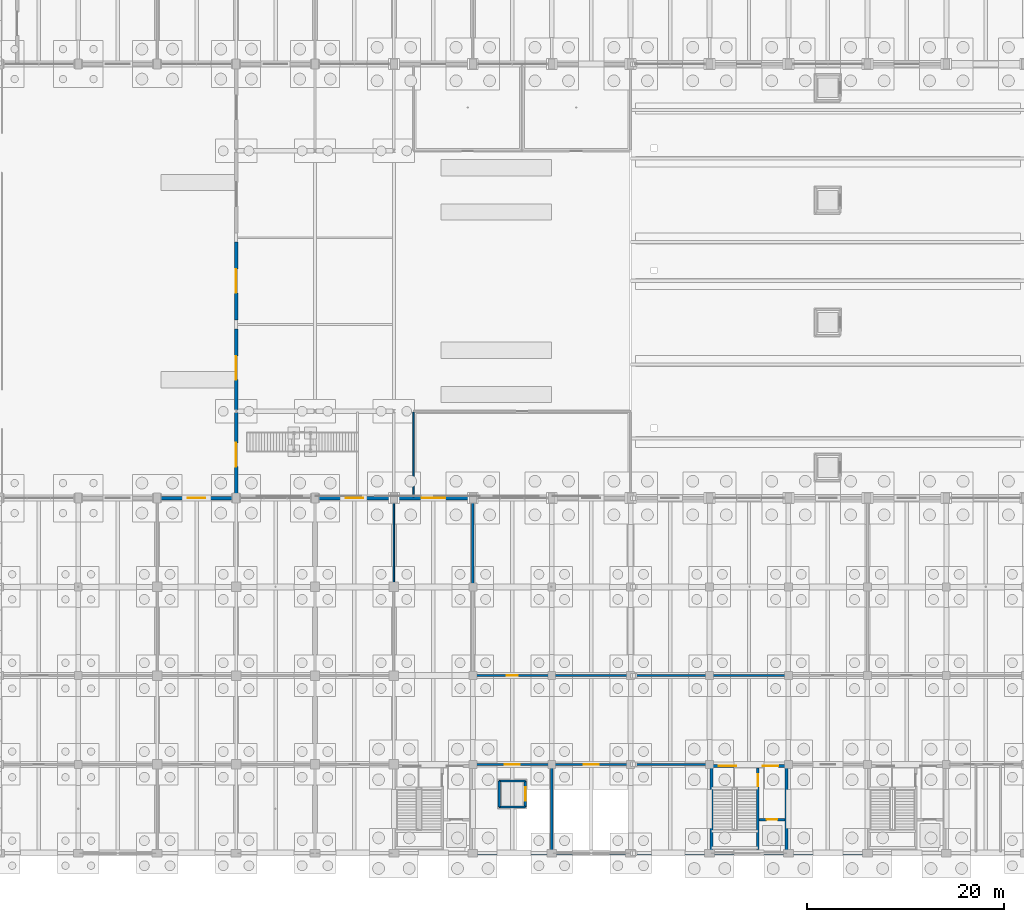
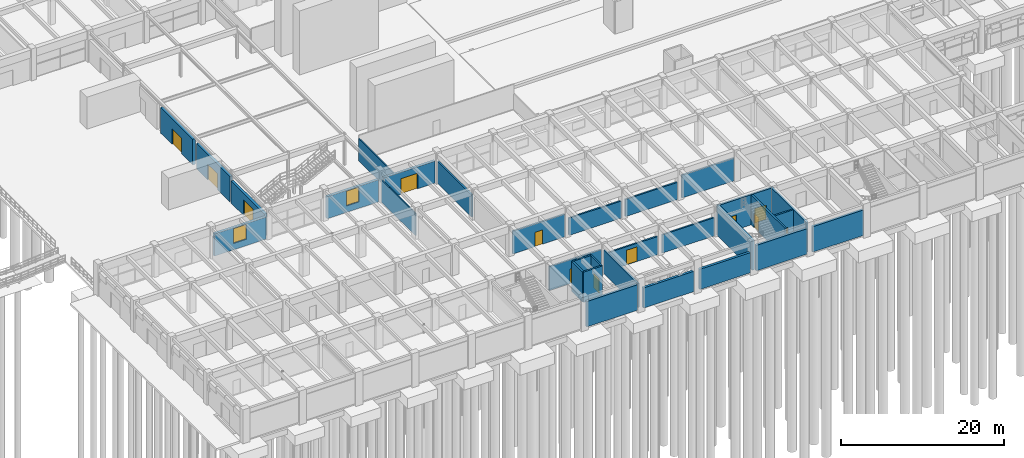
# One storey, part 102 of 147: 31 walls, 12 doors, 2 windows, 14 openings.
"""IFC4 building model written with IfcOpenShell, lengths in metres."""

from ifc_helpers import new_model, si_unit, direction, frame, frame_2d, origin, place, context, subcontext, project, spatial, rectangle, extrude, material, layer, layer_set, type_object, element, fill, save


model = new_model("IFC4")

# Units and contexts
model_context = context("Model", 3, precision=1e-05, world=origin(), true_north=direction((0.0, 1.0)))
body_context = subcontext(model_context, "Body", "Model", "MODEL_VIEW")
ifc_project = project(units=[si_unit("LENGTHUNIT", "METRE"), si_unit("AREAUNIT", "SQUARE_METRE"), si_unit("VOLUMEUNIT", "CUBIC_METRE"), si_unit("PLANEANGLEUNIT", "RADIAN"), si_unit("MASSUNIT", "GRAM", prefix="KILO")], contexts=[model_context])

# Site, building, storey
site_placement = place(None, origin())
site = spatial("IfcSite", under=ifc_project, at=site_placement, CompositionType="ELEMENT")
building_placement = place(site_placement, origin())
building = spatial("IfcBuilding", under=site, at=building_placement, Name="Varnabhumi Central Station", CompositionType="ELEMENT")
storey_placement = place(building_placement, origin())
storey = spatial("IfcBuildingStorey", under=building, at=storey_placement, Name="L00", CompositionType="ELEMENT", Elevation=0.0)

# Wall, opening, door
ifc_material_1 = material(Name="Autoclaved aerated blockwork masonry", Category="masonry")
ifc_layer_1 = layer(ifc_material_1, 0.219970703125, Name="Autoclaved aerated blockwork masonry", Category="masonry")
ifc_layer_set_1 = layer_set([ifc_layer_1], Name="Autoclaved aerated blockwork masonry")
wall_type_1 = type_object("IfcWallType", Name="WAL-COMP-AAC-220", PredefinedType="SOLIDWALL", material=ifc_layer_set_1)
wall_1_placement = place(storey_placement, frame((48.300048828125, 18.0, 0.0), z_axis=(0.0, 0.0, 1.0), x_axis=(1.0, 0.0, 0.0)))
wall_1 = element("IfcWall", 1, at=wall_1_placement, inside=storey, type_object=wall_type_1, Name="Inbound and Outbound Parcel Store Corridor Partition 1", PredefinedType="SOLIDWALL", context=body_context, shape_type="SweptSolid", body=[
    extrude(rectangle(XDim=7.39990234375, YDim=0.219970703125, at=frame_2d((3.699951171875, 0.0))), origin(), (0.0, 0.0, 1.0), 3.409912109375),
])
opening_1_placement = place(wall_1_placement, frame((3.14990234375, 0.0, 0.0)))
opening_1 = element("IfcOpeningElement", 2, at=opening_1_placement, cuts=wall_1, Name="Opening FD-60", PredefinedType="OPENING", context=body_context, shape_type="SweptSolid", body=[
    extrude(rectangle(XDim=1.10009765625, YDim=2.14990234375, at=frame_2d((0.550048828125, 1.074951171875))), frame((0.0, 0.119873046875, 0.0), z_axis=(0.0, -1.0, 0.0), x_axis=(1.0, 0.0, 0.0)), (0.0, 0.0, 1.0), 0.239990234375),
])
ifc_material_2 = material(Name="Intumescent-treated hardwood timber", Category="wood")
door_type_1 = type_object("IfcDoorType", Name="DR-FIRE-60-1100", OperationType="NOTDEFINED", PredefinedType="DOOR", material=ifc_material_2)
door_1_placement = place(opening_1_placement, frame((1.10009765625, 0.0, 0.0), z_axis=(0.0, 0.0, 1.0), x_axis=(-1.0, 0.0, 0.0)))
door_1 = element("IfcDoor", 3, at=door_1_placement, inside=storey, type_object=door_type_1, Name="Inbound and Outbound Parcel Store Door 1", OperationType="SINGLE_SWING_LEFT", OverallHeight=2.14990234375, OverallWidth=1.10009765625, PredefinedType="DOOR", context=body_context, shape_type="SweptSolid", body=[
    extrude(rectangle(XDim=1.10009765625, YDim=2.14990234375, at=frame_2d((0.550048828125, 1.074951171875))), frame((0.0, 0.02490234375, 0.0), z_axis=(0.0, -1.0, 0.0), x_axis=(1.0, 0.0, 0.0)), (0.0, 0.0, 1.0), 0.050048828125),
])
fill(opening_1, door_1)

# Walls
for number, where, z_axis, x_axis, name in (
    (4, (56.300048828125, 18.0, 0.0), (0.0, 0.0, 1.0), (1.0, 0.0, 0.0), "Inbound and Outbound Parcel Store Corridor Partition 2"),
    (5, (64.300048828125, 18.0, 0.0), (0.0, 0.0, 1.0), (1.0, 0.0, 0.0), "Inbound and Outbound Parcel Store Corridor Partition 3"),
):
    element("IfcWall", number, at=place(storey_placement, frame(where, z_axis=z_axis, x_axis=x_axis)), inside=storey, type_object=wall_type_1, Name=name, PredefinedType="SOLIDWALL", context=body_context, shape_type="SweptSolid", body=[
        extrude(rectangle(XDim=7.39990234375, YDim=0.219970703125, at=frame_2d((3.699951171875, 0.0))), origin(), (0.0, 0.0, 1.0), 2.580078125),
    ])
wall_2_placement = place(storey_placement, frame((72.300048828125, 18.0, 0.0), z_axis=(0.0, 0.0, 1.0), x_axis=(1.0, 0.0, 0.0)))
element("IfcWall", 6, at=wall_2_placement, inside=storey, type_object=wall_type_1, Name="Inbound and Outbound Parcel Store Corridor Partition 4", PredefinedType="SOLIDWALL", context=body_context, shape_type="SweptSolid", body=[
    extrude(rectangle(XDim=7.39990234375, YDim=0.219970703125, at=frame_2d((3.699951171875, 0.0))), origin(), (0.0, 0.0, 1.0), 3.409912109375),
])
wall_3_placement = place(storey_placement, frame((48.0, 27.300048828125, 0.0), z_axis=(0.0, 0.0, 1.0), x_axis=(0.0, 1.0, 0.0)))
element("IfcWall", 7, at=wall_3_placement, inside=storey, type_object=wall_type_1, Name="Inbound and Outbound Parcel Store E Partition 2", PredefinedType="SOLIDWALL", context=body_context, shape_type="SweptSolid", body=[
    extrude(rectangle(XDim=8.39990234375, YDim=0.219970703125, at=frame_2d((4.199951171875, 0.0))), origin(), (0.0, 0.0, 1.0), 3.31005859375),
])

# Wall, opening, door
wall_4_placement = place(storey_placement, frame((48.300048828125, 9.0, 0.0), z_axis=(0.0, 0.0, 1.0), x_axis=(1.0, 0.0, 0.0)))
wall_4 = element("IfcWall", 8, at=wall_4_placement, inside=storey, type_object=wall_type_1, Name="Traction Feeder Switch Room Corridor Partition 1", PredefinedType="SOLIDWALL", context=body_context, shape_type="SweptSolid", body=[
    extrude(rectangle(XDim=7.39990234375, YDim=0.219970703125, at=frame_2d((3.699951171875, 0.0))), origin(), (0.0, 0.0, 1.0), 3.56005859375),
])
opening_2_placement = place(wall_4_placement, frame((2.949951171875, 0.0, 0.0)))
opening_2 = element("IfcOpeningElement", 9, at=opening_2_placement, cuts=wall_4, Name="Opening FD-PLT", PredefinedType="OPENING", context=body_context, shape_type="SweptSolid", body=[
    extrude(rectangle(XDim=1.5, YDim=2.199951171875, at=frame_2d((0.75, 1.10009765625))), frame((0.0, 0.119873046875, 0.0), z_axis=(0.0, -1.0, 0.0), x_axis=(1.0, 0.0, 0.0)), (0.0, 0.0, 1.0), 0.239990234375),
])
ifc_material_3 = material(Name="Stainless steel Grade 316", Category="steel")
door_type_2 = type_object("IfcDoorType", Name="DR-PLANT-1500", OperationType="NOTDEFINED", PredefinedType="DOOR", material=ifc_material_3)
door_2_placement = place(opening_2_placement, origin())
door_2 = element("IfcDoor", 10, at=door_2_placement, inside=storey, type_object=door_type_2, Name="Traction Feeder Switch Room Door 1", OperationType="SINGLE_SWING_LEFT", OverallHeight=2.199951171875, OverallWidth=1.5, PredefinedType="DOOR", context=body_context, shape_type="SweptSolid", body=[
    extrude(rectangle(XDim=1.5, YDim=2.199951171875, at=frame_2d((0.75, 1.10009765625))), frame((0.0, 0.02490234375, 0.0), z_axis=(0.0, -1.0, 0.0), x_axis=(1.0, 0.0, 0.0)), (0.0, 0.0, 1.0), 0.050048828125),
])
fill(opening_2, door_2)

# Wall
wall_5_placement = place(storey_placement, frame((56.0, 0.300048828125, 0.0), z_axis=(0.0, 0.0, 1.0), x_axis=(0.0, 1.0, 0.0)))
element("IfcWall", 11, at=wall_5_placement, inside=storey, type_object=wall_type_1, Name="Traction Feeder Switch Room W Partition 1", PredefinedType="SOLIDWALL", context=body_context, shape_type="SweptSolid", body=[
    extrude(rectangle(XDim=8.39990234375, YDim=0.219970703125, at=frame_2d((4.199951171875, 0.0))), origin(), (0.0, 0.0, 1.0), 3.56005859375),
])

# Wall, opening, door
wall_6_placement = place(storey_placement, frame((56.300048828125, 9.0, 0.0), z_axis=(0.0, 0.0, 1.0), x_axis=(1.0, 0.0, 0.0)))
wall_6 = element("IfcWall", 12, at=wall_6_placement, inside=storey, type_object=wall_type_1, Name="11 kV Traction-Isolated Substation and Switchgear Corridor Partition 1", PredefinedType="SOLIDWALL", context=body_context, shape_type="SweptSolid", body=[
    extrude(rectangle(XDim=7.39990234375, YDim=0.219970703125, at=frame_2d((3.699951171875, 0.0))), origin(), (0.0, 0.0, 1.0), 2.72998046875),
])
opening_3_placement = place(wall_6_placement, frame((2.949951171875, 0.0, 0.0)))
opening_3 = element("IfcOpeningElement", 13, at=opening_3_placement, cuts=wall_6, Name="Opening FD-PLT", PredefinedType="OPENING", context=body_context, shape_type="SweptSolid", body=[
    extrude(rectangle(XDim=1.5, YDim=2.199951171875, at=frame_2d((0.75, 1.10009765625))), frame((0.0, 0.119873046875, 0.0), z_axis=(0.0, -1.0, 0.0), x_axis=(1.0, 0.0, 0.0)), (0.0, 0.0, 1.0), 0.239990234375),
])
door_3_placement = place(opening_3_placement, origin())
door_3 = element("IfcDoor", 14, at=door_3_placement, inside=storey, type_object=door_type_2, Name="11 kV Traction-Isolated Substation and Switchgear Door 1", OperationType="SINGLE_SWING_RIGHT", OverallHeight=2.199951171875, OverallWidth=1.5, PredefinedType="DOOR", context=body_context, shape_type="SweptSolid", body=[
    extrude(rectangle(XDim=1.5, YDim=2.199951171875, at=frame_2d((0.75, 1.10009765625))), frame((0.0, 0.02490234375, 0.0), z_axis=(0.0, -1.0, 0.0), x_axis=(1.0, 0.0, 0.0)), (0.0, 0.0, 1.0), 0.050048828125),
])
fill(opening_3, door_3)

# Walls
wall_7_placement = place(storey_placement, frame((64.300048828125, 9.0, 0.0), z_axis=(0.0, 0.0, 1.0), x_axis=(1.0, 0.0, 0.0)))
element("IfcWall", 15, at=wall_7_placement, inside=storey, type_object=wall_type_1, Name="11 kV Traction-Isolated Substation and Switchgear Corridor Partition 2", PredefinedType="SOLIDWALL", context=body_context, shape_type="SweptSolid", body=[
    extrude(rectangle(XDim=7.39990234375, YDim=0.219970703125, at=frame_2d((3.699951171875, 0.0))), origin(), (0.0, 0.0, 1.0), 2.72998046875),
])
ifc_material_4 = material(Name="Concrete M40", Category="concrete")
ifc_layer_2 = layer(ifc_material_4, 0.300048828125, Name="Concrete M40", Category="concrete")
ifc_layer_set_2 = layer_set([ifc_layer_2], Name="Concrete M40")
wall_type_2 = type_object("IfcWallType", Name="WAL-CORE-RC-300", PredefinedType="SHEAR", material=ifc_layer_set_2)
for number, where, z_axis, x_axis, name in (
    (16, (72.179931640625, 0.179931640625, 0.0), (0.0, 0.0, 1.0), (0.0, 1.0, 0.0), "SC4 L00 West Shear Wall"),
    (17, (79.820068359375, 0.179931640625, 0.0), (0.0, 0.0, 1.0), (0.0, 1.0, 0.0), "SC4 L00 East Shear Wall"),
):
    element("IfcWall", number, at=place(storey_placement, frame(where, z_axis=z_axis, x_axis=x_axis)), inside=storey, type_object=wall_type_2, Name=name, PredefinedType="SHEAR", context=body_context, shape_type="SweptSolid", body=[
        extrude(rectangle(XDim=8.64013671875, YDim=0.300048828125, at=frame_2d((4.320068359375, 0.0))), origin(), (0.0, 0.0, 1.0), 4.52001953125),
    ])

# Wall, openings, doors
wall_8_placement = place(storey_placement, frame((72.030029296875, 8.820068359375, 0.0), z_axis=(0.0, 0.0, 1.0), x_axis=(1.0, 0.0, 0.0)))
wall_8 = element("IfcWall", 18, at=wall_8_placement, inside=storey, type_object=wall_type_2, Name="SC4 L00 Corridor Shear Wall", PredefinedType="SHEAR", context=body_context, shape_type="SweptSolid", body=[
    extrude(rectangle(XDim=7.93994140625, YDim=0.300048828125, at=frame_2d((3.969970703125, 0.0))), origin(), (0.0, 0.0, 1.0), 4.52001953125),
])
opening_4_placement = place(wall_8_placement, frame((5.35009765625, 0.0, 0.0)))
opening_4 = element("IfcOpeningElement", 19, at=opening_4_placement, cuts=wall_8, Name="Opening FD-60D", PredefinedType="OPENING", context=body_context, shape_type="SweptSolid", body=[
    extrude(rectangle(XDim=1.60009765625, YDim=2.14990234375, at=frame_2d((0.800048828125, 1.074951171875))), frame((0.0, 0.159912109375, 0.0), z_axis=(0.0, -1.0, 0.0), x_axis=(1.0, 0.0, 0.0)), (0.0, 0.0, 1.0), 0.320068359375),
])
opening_5_placement = place(wall_8_placement, frame((0.89990234375, 0.0, 0.0)))
opening_5 = element("IfcOpeningElement", 20, at=opening_5_placement, cuts=wall_8, Name="Opening FD-120D", PredefinedType="OPENING", context=body_context, shape_type="SweptSolid", body=[
    extrude(rectangle(XDim=1.800048828125, YDim=2.199951171875, at=frame_2d((0.89990234375, 1.10009765625))), frame((0.0, 0.159912109375, 0.0), z_axis=(0.0, -1.0, 0.0), x_axis=(1.0, 0.0, 0.0)), (0.0, 0.0, 1.0), 0.320068359375),
])
door_type_3 = type_object("IfcDoorType", Name="DR-FIRE-120-1800", OperationType="NOTDEFINED", PredefinedType="DOOR", material=ifc_material_3)
door_4_placement = place(opening_5_placement, origin())
door_4 = element("IfcDoor", 21, at=door_4_placement, inside=storey, type_object=door_type_3, Name="ST-S4 L00 Discharge Door", OperationType="DOUBLE_DOOR_SINGLE_SWING", OverallHeight=2.199951171875, OverallWidth=1.800048828125, PredefinedType="DOOR", context=body_context, shape_type="SweptSolid", body=[
    extrude(rectangle(XDim=1.800048828125, YDim=2.199951171875, at=frame_2d((0.89990234375, 1.10009765625))), frame((0.0, 0.02490234375, 0.0), z_axis=(0.0, -1.0, 0.0), x_axis=(1.0, 0.0, 0.0)), (0.0, 0.0, 1.0), 0.050048828125),
])
fill(opening_5, door_4)
door_type_4 = type_object("IfcDoorType", Name="DR-FIRE-60-1600", OperationType="NOTDEFINED", PredefinedType="DOOR", material=ifc_material_2)
door_5_placement = place(opening_4_placement, origin())
door_5 = element("IfcDoor", 22, at=door_5_placement, inside=storey, type_object=door_type_4, Name="SC4 L00 Lobby Fire Door", OperationType="DOUBLE_DOOR_SINGLE_SWING", OverallHeight=2.14990234375, OverallWidth=1.60009765625, PredefinedType="DOOR", context=body_context, shape_type="SweptSolid", body=[
    extrude(rectangle(XDim=1.60009765625, YDim=2.14990234375, at=frame_2d((0.800048828125, 1.074951171875))), frame((0.0, 0.02490234375, 0.0), z_axis=(0.0, -1.0, 0.0), x_axis=(1.0, 0.0, 0.0)), (0.0, 0.0, 1.0), 0.050048828125),
])
fill(opening_4, door_5)

# Wall, opening, window
ifc_material_5 = material(Name="Chunar sandstone masonry", Category="masonry")
ifc_layer_3 = layer(ifc_material_5, 0.360107421875, Name="Chunar sandstone masonry", Category="masonry")
ifc_layer_set_3 = layer_set([ifc_layer_3], Name="Chunar sandstone masonry")
wall_type_3 = type_object("IfcWallType", Name="WAL-EXT-SANDSTONE-360", PredefinedType="SOLIDWALL", material=ifc_layer_set_3)
wall_9_placement = place(storey_placement, frame((16.344970703125, 36.0, 0.0), z_axis=(0.0, 0.0, 1.0), x_axis=(1.0, 0.0, 0.0)))
wall_9 = element("IfcWall", 23, at=wall_9_placement, inside=storey, type_object=wall_type_3, Name="South Spine Wall L00-3", PredefinedType="SOLIDWALL", context=body_context, shape_type="SweptSolid", body=[
    extrude(rectangle(XDim=7.31005859375, YDim=0.360107421875, at=frame_2d((3.655029296875, 0.0))), origin(), (0.0, 0.0, 1.0), 3.31005859375),
])
opening_6_placement = place(wall_9_placement, frame((2.7548828125, 0.0, 0.949951171875)))
opening_6 = element("IfcOpeningElement", 24, at=opening_6_placement, cuts=wall_9, Name="Opening W-02", PredefinedType="OPENING", context=body_context, shape_type="SweptSolid", body=[
    extrude(rectangle(XDim=1.800048828125, YDim=2.219970703125, at=frame_2d((0.89990234375, 1.10986328125))), frame((0.0, 0.18994140625, 0.0), z_axis=(0.0, -1.0, 0.0), x_axis=(1.0, 0.0, 0.0)), (0.0, 0.0, 1.0), 0.380126953125),
])
ifc_material_6 = material(Name="Laminated low-E double glazing", Category="glass")
window_type = type_object("IfcWindowType", Name="WIN-ARCADE-1800x2600", PartitioningType="DOUBLE_PANEL_VERTICAL", PredefinedType="WINDOW", material=ifc_material_6)
window_1_placement = place(opening_6_placement, origin())
window_1 = element("IfcWindow", 25, at=window_1_placement, inside=storey, type_object=window_type, Name="South Spine Overlook Window L00-3", OverallHeight=2.219970703125, OverallWidth=1.800048828125, PartitioningType="SINGLE_PANEL", PredefinedType="WINDOW", context=body_context, shape_type="SweptSolid", body=[
    extrude(rectangle(XDim=1.800048828125, YDim=2.219970703125, at=frame_2d((0.89990234375, 1.10986328125))), frame((0.0, 0.030029296875, 0.0), z_axis=(0.0, -1.0, 0.0), x_axis=(1.0, 0.0, 0.0)), (0.0, 0.0, 1.0), 0.06005859375),
])
fill(opening_6, window_1)

wall_10_placement = place(storey_placement, frame((32.344970703125, 36.0, 0.0), z_axis=(0.0, 0.0, 1.0), x_axis=(1.0, 0.0, 0.0)))
wall_10 = element("IfcWall", 26, at=wall_10_placement, inside=storey, type_object=wall_type_3, Name="South Spine Wall L00-5", PredefinedType="SOLIDWALL", context=body_context, shape_type="SweptSolid", body=[
    extrude(rectangle(XDim=7.31005859375, YDim=0.360107421875, at=frame_2d((3.655029296875, 0.0))), origin(), (0.0, 0.0, 1.0), 3.31005859375),
])
opening_7_placement = place(wall_10_placement, frame((2.7548828125, 0.0, 0.949951171875)))
opening_7 = element("IfcOpeningElement", 27, at=opening_7_placement, cuts=wall_10, Name="Opening W-02", PredefinedType="OPENING", context=body_context, shape_type="SweptSolid", body=[
    extrude(rectangle(XDim=1.800048828125, YDim=2.219970703125, at=frame_2d((0.89990234375, 1.10986328125))), frame((0.0, 0.18994140625, 0.0), z_axis=(0.0, -1.0, 0.0), x_axis=(1.0, 0.0, 0.0)), (0.0, 0.0, 1.0), 0.380126953125),
])
window_2_placement = place(opening_7_placement, origin())
window_2 = element("IfcWindow", 28, at=window_2_placement, inside=storey, type_object=window_type, Name="South Spine Overlook Window L00-5", OverallHeight=2.219970703125, OverallWidth=1.800048828125, PartitioningType="SINGLE_PANEL", PredefinedType="WINDOW", context=body_context, shape_type="SweptSolid", body=[
    extrude(rectangle(XDim=1.800048828125, YDim=2.219970703125, at=frame_2d((0.89990234375, 1.10986328125))), frame((0.0, 0.030029296875, 0.0), z_axis=(0.0, -1.0, 0.0), x_axis=(1.0, 0.0, 0.0)), (0.0, 0.0, 1.0), 0.06005859375),
])
fill(opening_7, window_2)

# Wall, opening, door
wall_11_placement = place(storey_placement, frame((40.344970703125, 36.0, 0.0), z_axis=(0.0, 0.0, 1.0), x_axis=(1.0, 0.0, 0.0)))
wall_11 = element("IfcWall", 29, at=wall_11_placement, inside=storey, type_object=wall_type_3, Name="South Spine Wall L00-6", PredefinedType="SOLIDWALL", context=body_context, shape_type="SweptSolid", body=[
    extrude(rectangle(XDim=7.31005859375, YDim=0.360107421875, at=frame_2d((3.655029296875, 0.0))), origin(), (0.0, 0.0, 1.0), 3.31005859375),
])
opening_8_placement = place(wall_11_placement, frame((2.455078125, 0.0, 0.0)))
opening_8 = element("IfcOpeningElement", 30, at=opening_8_placement, cuts=wall_11, Name="Opening ED-1", PredefinedType="OPENING", context=body_context, shape_type="SweptSolid", body=[
    extrude(rectangle(XDim=2.39990234375, YDim=2.35009765625, at=frame_2d((1.199951171875, 1.175048828125))), frame((0.0, 0.18994140625, 0.0), z_axis=(0.0, -1.0, 0.0), x_axis=(1.0, 0.0, 0.0)), (0.0, 0.0, 1.0), 0.380126953125),
])
ifc_material_7 = material(Name="Anodised aluminium 6063-T6", Category="aluminium")
door_type_5 = type_object("IfcDoorType", Name="DR-EXT-PORTAL-2400", OperationType="NOTDEFINED", PredefinedType="DOOR", material=ifc_material_7)
door_6_placement = place(opening_8_placement, origin())
door_6 = element("IfcDoor", 31, at=door_6_placement, inside=storey, type_object=door_type_5, Name="South Spine Portal 6", OperationType="DOUBLE_DOOR_SINGLE_SWING", OverallHeight=2.35009765625, OverallWidth=2.39990234375, PredefinedType="DOOR", context=body_context, shape_type="SweptSolid", body=[
    extrude(rectangle(XDim=2.39990234375, YDim=2.35009765625, at=frame_2d((1.199951171875, 1.175048828125))), frame((0.0, 0.02490234375, 0.0), z_axis=(0.0, -1.0, 0.0), x_axis=(1.0, 0.0, 0.0)), (0.0, 0.0, 1.0), 0.050048828125),
])
fill(opening_8, door_6)

wall_12_placement = place(storey_placement, frame((24.0, 36.449951171875, 0.0), z_axis=(0.0, 0.0, 1.0), x_axis=(0.0, 1.0, 0.0)))
wall_12 = element("IfcWall", 32, at=wall_12_placement, inside=storey, type_object=wall_type_3, Name="Ticket Hall Grand Portal Wall 1", PredefinedType="SOLIDWALL", context=body_context, shape_type="SweptSolid", body=[
    extrude(rectangle(XDim=8.205078125, YDim=0.360107421875, at=frame_2d((4.1025390625, 0.0))), origin(), (0.0, 0.0, 1.0), 3.31005859375),
])
opening_9_placement = place(wall_12_placement, frame((2.75, 0.0, 0.0)))
opening_9 = element("IfcOpeningElement", 33, at=opening_9_placement, cuts=wall_12, Name="Opening ED-1", PredefinedType="OPENING", context=body_context, shape_type="SweptSolid", body=[
    extrude(rectangle(XDim=2.39990234375, YDim=2.35009765625, at=frame_2d((1.199951171875, 1.175048828125))), frame((0.0, 0.18994140625, 0.0), z_axis=(0.0, -1.0, 0.0), x_axis=(1.0, 0.0, 0.0)), (0.0, 0.0, 1.0), 0.380126953125),
])
door_7_placement = place(opening_9_placement, origin())
door_7 = element("IfcDoor", 34, at=door_7_placement, inside=storey, type_object=door_type_5, Name="Ticket Hall Main Portal Entrance 1", OperationType="DOUBLE_DOOR_SINGLE_SWING", OverallHeight=2.35009765625, OverallWidth=2.39990234375, PredefinedType="DOOR", context=body_context, shape_type="SweptSolid", body=[
    extrude(rectangle(XDim=2.39990234375, YDim=2.35009765625, at=frame_2d((1.199951171875, 1.175048828125))), frame((0.0, 0.02490234375, 0.0), z_axis=(0.0, -1.0, 0.0), x_axis=(1.0, 0.0, 0.0)), (0.0, 0.0, 1.0), 0.050048828125),
])
fill(opening_9, door_7)

wall_13_placement = place(storey_placement, frame((24.0, 44.945068359375, 0.0), z_axis=(0.0, 0.0, 1.0), x_axis=(0.0, 1.0, 0.0)))
wall_13 = element("IfcWall", 35, at=wall_13_placement, inside=storey, type_object=wall_type_3, Name="Ticket Hall Grand Portal Wall 2", PredefinedType="SOLIDWALL", context=body_context, shape_type="SweptSolid", body=[
    extrude(rectangle(XDim=8.204833984375, YDim=0.360107421875, at=frame_2d((4.1025390625, 0.0))), origin(), (0.0, 0.0, 1.0), 3.7900390625),
])
opening_10_placement = place(wall_13_placement, frame((3.054931640625, 0.0, 0.0)))
opening_10 = element("IfcOpeningElement", 36, at=opening_10_placement, cuts=wall_13, Name="Opening ED-1", PredefinedType="OPENING", context=body_context, shape_type="SweptSolid", body=[
    extrude(rectangle(XDim=2.39990234375, YDim=2.35009765625, at=frame_2d((1.199951171875, 1.175048828125))), frame((0.0, 0.18994140625, 0.0), z_axis=(0.0, -1.0, 0.0), x_axis=(1.0, 0.0, 0.0)), (0.0, 0.0, 1.0), 0.380126953125),
])
door_8_placement = place(opening_10_placement, origin())
door_8 = element("IfcDoor", 37, at=door_8_placement, inside=storey, type_object=door_type_5, Name="Ticket Hall Main Portal Entrance 2", OperationType="DOUBLE_DOOR_SINGLE_SWING", OverallHeight=2.35009765625, OverallWidth=2.39990234375, PredefinedType="DOOR", context=body_context, shape_type="SweptSolid", body=[
    extrude(rectangle(XDim=2.39990234375, YDim=2.35009765625, at=frame_2d((1.199951171875, 1.175048828125))), frame((0.0, 0.02490234375, 0.0), z_axis=(0.0, -1.0, 0.0), x_axis=(1.0, 0.0, 0.0)), (0.0, 0.0, 1.0), 0.050048828125),
])
fill(opening_10, door_8)

wall_14_placement = place(storey_placement, frame((24.0, 54.050048828125, 0.0), z_axis=(0.0, 0.0, 1.0), x_axis=(0.0, 1.0, 0.0)))
wall_14 = element("IfcWall", 38, at=wall_14_placement, inside=storey, type_object=wall_type_3, Name="Ticket Hall Grand Portal Wall 3", PredefinedType="SOLIDWALL", context=body_context, shape_type="SweptSolid", body=[
    extrude(rectangle(XDim=7.89990234375, YDim=0.360107421875, at=frame_2d((3.949951171875, 0.0))), origin(), (0.0, 0.0, 1.0), 3.840087890625),
])
opening_11_placement = place(wall_14_placement, frame((2.75, 0.0, 0.0)))
opening_11 = element("IfcOpeningElement", 39, at=opening_11_placement, cuts=wall_14, Name="Opening ED-1", PredefinedType="OPENING", context=body_context, shape_type="SweptSolid", body=[
    extrude(rectangle(XDim=2.39990234375, YDim=2.35009765625, at=frame_2d((1.199951171875, 1.175048828125))), frame((0.0, 0.18994140625, 0.0), z_axis=(0.0, -1.0, 0.0), x_axis=(1.0, 0.0, 0.0)), (0.0, 0.0, 1.0), 0.380126953125),
])
door_9_placement = place(opening_11_placement, origin())
door_9 = element("IfcDoor", 40, at=door_9_placement, inside=storey, type_object=door_type_5, Name="Ticket Hall Main Portal Entrance 3", OperationType="DOUBLE_DOOR_SINGLE_SWING", OverallHeight=2.35009765625, OverallWidth=2.39990234375, PredefinedType="DOOR", context=body_context, shape_type="SweptSolid", body=[
    extrude(rectangle(XDim=2.39990234375, YDim=2.35009765625, at=frame_2d((1.199951171875, 1.175048828125))), frame((0.0, 0.02490234375, 0.0), z_axis=(0.0, -1.0, 0.0), x_axis=(1.0, 0.0, 0.0)), (0.0, 0.0, 1.0), 0.050048828125),
])
fill(opening_11, door_9)

# Walls
ifc_layer_4 = layer(ifc_material_1, 0.159912109375, Name="Autoclaved aerated blockwork masonry", Category="masonry")
ifc_layer_set_4 = layer_set([ifc_layer_4], Name="Autoclaved aerated blockwork masonry")
wall_type_4 = type_object("IfcWallType", Name="WAL-PART-AAC-160", PredefinedType="PARTITIONING", material=ifc_layer_set_4)
wall_15_placement = place(storey_placement, frame((42.0, 36.159912109375, 0.0), z_axis=(0.0, 0.0, 1.0), x_axis=(0.0, 1.0, 0.0)))
element("IfcWall", 41, at=wall_15_placement, inside=storey, type_object=wall_type_4, Name="Reserved and Unreserved Booking Counters E Partition 1", PredefinedType="PARTITIONING", context=body_context, shape_type="SweptSolid", body=[
    extrude(rectangle(XDim=8.56005859375, YDim=0.159912109375, at=frame_2d((4.280029296875, 0.0))), origin(), (0.0, 0.0, 1.0), 3.31005859375),
])
wall_16_placement = place(storey_placement, frame((40.0, 27.300048828125, 0.0), z_axis=(0.0, 0.0, 1.0), x_axis=(0.0, 1.0, 0.0)))
element("IfcWall", 42, at=wall_16_placement, inside=storey, type_object=wall_type_4, Name="Parcel Booking and Weighment Office W Partition 2", PredefinedType="PARTITIONING", context=body_context, shape_type="SweptSolid", body=[
    extrude(rectangle(XDim=8.39990234375, YDim=0.159912109375, at=frame_2d((4.199951171875, 0.0))), origin(), (0.0, 0.0, 1.0), 3.31005859375),
])

# Wall, opening, door
ifc_layer_5 = layer(ifc_material_4, 0.239990234375, Name="Concrete M40", Category="concrete")
ifc_layer_set_5 = layer_set([ifc_layer_5], Name="Concrete M40")
wall_type_5 = type_object("IfcWallType", Name="WAL-SHAFT-RC-240", PredefinedType="SHEAR", material=ifc_layer_set_5)
wall_17_placement = place(storey_placement, frame((76.89990234375, 0.35009765625, 0.0), z_axis=(0.0, 0.0, 1.0), x_axis=(0.0, 1.0, 0.0)))
wall_17 = element("IfcWall", 43, at=wall_17_placement, inside=storey, type_object=wall_type_5, Name="SC4 L00 Stair-Lobby Divider Wall", PredefinedType="SHEAR", context=body_context, shape_type="SweptSolid", body=[
    extrude(rectangle(XDim=8.2998046875, YDim=0.239990234375, at=frame_2d((4.14990234375, 0.0))), origin(), (0.0, 0.0, 1.0), 4.52001953125),
])
opening_12_placement = place(wall_17_placement, frame((6.449951171875, 0.0, 0.0)))
opening_12 = element("IfcOpeningElement", 44, at=opening_12_placement, cuts=wall_17, Name="Opening FD-120", PredefinedType="OPENING", context=body_context, shape_type="SweptSolid", body=[
    extrude(rectangle(XDim=1.199951171875, YDim=2.14990234375, at=frame_2d((0.60009765625, 1.074951171875))), frame((0.0, 0.1298828125, 0.0), z_axis=(0.0, -1.0, 0.0), x_axis=(1.0, 0.0, 0.0)), (0.0, 0.0, 1.0), 0.260009765625),
])
door_type_6 = type_object("IfcDoorType", Name="DR-FIRE-120-1200", OperationType="NOTDEFINED", PredefinedType="DOOR", material=ifc_material_3)
door_10_placement = place(opening_12_placement, frame((1.199951171875, 0.0, 0.0), z_axis=(0.0, 0.0, 1.0), x_axis=(-1.0, 0.0, 0.0)))
door_10 = element("IfcDoor", 45, at=door_10_placement, inside=storey, type_object=door_type_6, Name="ST-S4 L00 Fire Door", OperationType="SINGLE_SWING_LEFT", OverallHeight=2.14990234375, OverallWidth=1.199951171875, PredefinedType="DOOR", context=body_context, shape_type="SweptSolid", body=[
    extrude(rectangle(XDim=1.199951171875, YDim=2.14990234375, at=frame_2d((0.60009765625, 1.074951171875))), frame((0.0, 0.02490234375, 0.0), z_axis=(0.0, -1.0, 0.0), x_axis=(1.0, 0.0, 0.0)), (0.0, 0.0, 1.0), 0.050048828125),
])
fill(opening_12, door_10)

wall_18_placement = place(storey_placement, frame((77.02001953125, 3.39990234375, 0.0), z_axis=(0.0, 0.0, 1.0), x_axis=(1.0, 0.0, 0.0)))
wall_18 = element("IfcWall", 46, at=wall_18_placement, inside=storey, type_object=wall_type_5, Name="PL-10 L00 Lift Shaft Front Wall", PredefinedType="SHEAR", context=body_context, shape_type="SweptSolid", body=[
    extrude(rectangle(XDim=2.6298828125, YDim=0.239990234375, at=frame_2d((1.31494140625, 0.0))), origin(), (0.0, 0.0, 1.0), 4.52001953125),
])
opening_13_placement = place(wall_18_placement, frame((0.764892578125, 0.0, 0.0)))
opening_13 = element("IfcOpeningElement", 47, at=opening_13_placement, cuts=wall_18, Name="Opening LD-PL-10", PredefinedType="OPENING", context=body_context, shape_type="SweptSolid", body=[
    extrude(rectangle(XDim=1.10009765625, YDim=2.14990234375, at=frame_2d((0.550048828125, 1.074951171875))), frame((0.0, 0.1298828125, 0.0), z_axis=(0.0, -1.0, 0.0), x_axis=(1.0, 0.0, 0.0)), (0.0, 0.0, 1.0), 0.260009765625),
])
door_type_7 = type_object("IfcDoorType", Name="DR-LIFT-PASS-1100", OperationType="NOTDEFINED", PredefinedType="DOOR", material=ifc_material_3)
door_11_placement = place(opening_13_placement, origin())
door_11 = element("IfcDoor", 48, at=door_11_placement, inside=storey, type_object=door_type_7, Name="Lift Landing Door PL-10 L00", OperationType="DOUBLE_DOOR_SLIDING", OverallHeight=2.14990234375, OverallWidth=1.10009765625, PredefinedType="DOOR", context=body_context, shape_type="SweptSolid", body=[
    extrude(rectangle(XDim=1.10009765625, YDim=2.14990234375, at=frame_2d((0.550048828125, 1.074951171875))), frame((0.0, 0.02490234375, 0.0), z_axis=(0.0, -1.0, 0.0), x_axis=(1.0, 0.0, 0.0)), (0.0, 0.0, 1.0), 0.050048828125),
])
fill(opening_13, door_11)

# Walls
for number, where, z_axis, x_axis, name in (
    (49, (50.679931640625, 4.679931640625, 0.0), (0.0, 0.0, 1.0), (0.0, 1.0, 0.0), "GL-2 L00 Shaft West Wall"),
    (50, (50.679931640625, 4.679931640625, 0.0), (0.0, 0.0, 1.0), (1.0, 0.0, 0.0), "GL-2 L00 Shaft South Wall"),
    (51, (50.679931640625, 7.320068359375, 0.0), (0.0, 0.0, 1.0), (1.0, 0.0, 0.0), "GL-2 L00 Shaft North Wall"),
):
    element("IfcWall", number, at=place(storey_placement, frame(where, z_axis=z_axis, x_axis=x_axis)), inside=storey, type_object=wall_type_5, Name=name, PredefinedType="SHEAR", context=body_context, shape_type="SweptSolid", body=[
        extrude(rectangle(XDim=2.64013671875, YDim=0.239990234375, at=frame_2d((1.320068359375, 0.0))), origin(), (0.0, 0.0, 1.0), 4.550048828125),
    ])

# Wall, opening, door
wall_19_placement = place(storey_placement, frame((53.320068359375, 4.679931640625, 0.0), z_axis=(0.0, 0.0, 1.0), x_axis=(0.0, 1.0, 0.0)))
wall_19 = element("IfcWall", 52, at=wall_19_placement, inside=storey, type_object=wall_type_5, Name="GL-2 L00 Shaft Front Wall", PredefinedType="SHEAR", context=body_context, shape_type="SweptSolid", body=[
    extrude(rectangle(XDim=2.64013671875, YDim=0.239990234375, at=frame_2d((1.320068359375, 0.0))), origin(), (0.0, 0.0, 1.0), 4.550048828125),
])
opening_14_placement = place(wall_19_placement, frame((0.6201171875, 0.0, 0.0)))
opening_14 = element("IfcOpeningElement", 53, at=opening_14_placement, cuts=wall_19, Name="Opening LD-GL-2", PredefinedType="OPENING", context=body_context, shape_type="SweptSolid", body=[
    extrude(rectangle(XDim=1.39990234375, YDim=2.14990234375, at=frame_2d((0.699951171875, 1.074951171875))), frame((0.0, 0.1298828125, 0.0), z_axis=(0.0, -1.0, 0.0), x_axis=(1.0, 0.0, 0.0)), (0.0, 0.0, 1.0), 0.260009765625),
])
door_type_8 = type_object("IfcDoorType", Name="DR-LIFT-GOODS-1400", OperationType="NOTDEFINED", PredefinedType="DOOR", material=ifc_material_3)
door_12_placement = place(opening_14_placement, origin())
door_12 = element("IfcDoor", 54, at=door_12_placement, inside=storey, type_object=door_type_8, Name="Lift Landing Door GL-2 L00", OperationType="DOUBLE_DOOR_SLIDING", OverallHeight=2.14990234375, OverallWidth=1.39990234375, PredefinedType="DOOR", context=body_context, shape_type="SweptSolid", body=[
    extrude(rectangle(XDim=1.39990234375, YDim=2.14990234375, at=frame_2d((0.699951171875, 1.074951171875))), frame((0.0, 0.02490234375, 0.0), z_axis=(0.0, -1.0, 0.0), x_axis=(1.0, 0.0, 0.0)), (0.0, 0.0, 1.0), 0.050048828125),
])
fill(opening_14, door_12)

# Walls
ifc_layer_6 = layer(ifc_material_4, 0.340087890625, Name="Concrete M40", Category="concrete")
ifc_layer_set_6 = layer_set([ifc_layer_6], Name="Concrete M40")
wall_type_6 = type_object("IfcWallType", Name="WAL-SOUTH-FIRE-340", PredefinedType="SOLIDWALL", material=ifc_layer_set_6)
wall_20_placement = place(storey_placement, frame((48.39990234375, 0.0, 0.0), z_axis=(0.0, 0.0, 1.0), x_axis=(1.0, 0.0, 0.0)))
element("IfcWall", 55, at=wall_20_placement, inside=storey, type_object=wall_type_6, Name="South Infill Boundary Fire Wall L00-7", PredefinedType="SOLIDWALL", context=body_context, shape_type="SweptSolid", body=[
    extrude(rectangle(XDim=7.2001953125, YDim=0.340087890625, at=frame_2d((3.60009765625, 0.0))), origin(), (0.0, 0.0, 1.0), 3.81005859375),
])
for number, where, z_axis, x_axis, name in (
    (56, (56.39990234375, 0.0, 0.0), (0.0, 0.0, 1.0), (1.0, 0.0, 0.0), "South Infill Boundary Fire Wall L00-8"),
    (57, (64.39990234375, 0.0, 0.0), (0.0, 0.0, 1.0), (1.0, 0.0, 0.0), "South Infill Boundary Fire Wall L00-9"),
):
    element("IfcWall", number, at=place(storey_placement, frame(where, z_axis=z_axis, x_axis=x_axis)), inside=storey, type_object=wall_type_6, Name=name, PredefinedType="SOLIDWALL", context=body_context, shape_type="SweptSolid", body=[
        extrude(rectangle(XDim=7.2001953125, YDim=0.340087890625, at=frame_2d((3.60009765625, 0.0))), origin(), (0.0, 0.0, 1.0), 3.030029296875),
    ])
for number, where, z_axis, x_axis, name in (
    (58, (72.39990234375, 0.0, 0.0), (0.0, 0.0, 1.0), (1.0, 0.0, 0.0), "South Infill Boundary Fire Wall L00-10"),
    (59, (80.39990234375, 0.0, 0.0), (0.0, 0.0, 1.0), (1.0, 0.0, 0.0), "South Infill Boundary Fire Wall L00-11"),
):
    element("IfcWall", number, at=place(storey_placement, frame(where, z_axis=z_axis, x_axis=x_axis)), inside=storey, type_object=wall_type_6, Name=name, PredefinedType="SOLIDWALL", context=body_context, shape_type="SweptSolid", body=[
        extrude(rectangle(XDim=7.2001953125, YDim=0.340087890625, at=frame_2d((3.60009765625, 0.0))), origin(), (0.0, 0.0, 1.0), 3.81005859375),
    ])

save(model, "model.ifc")
